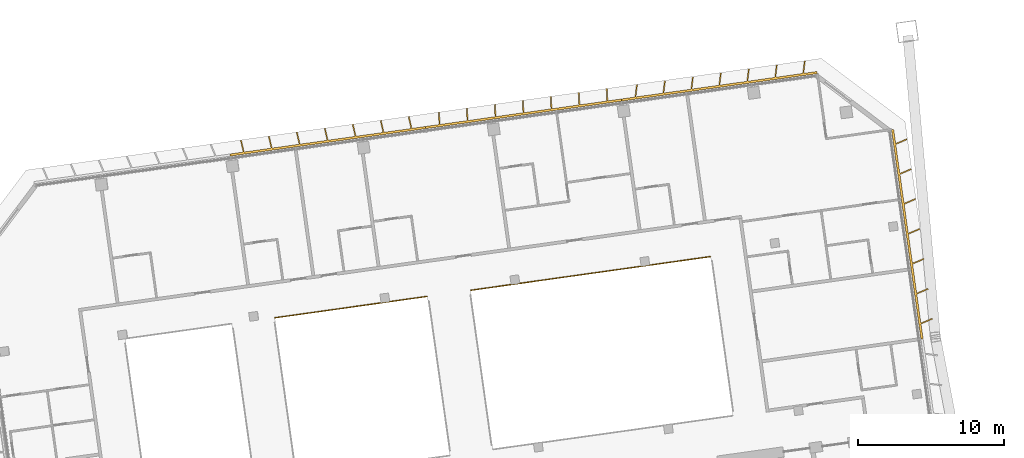
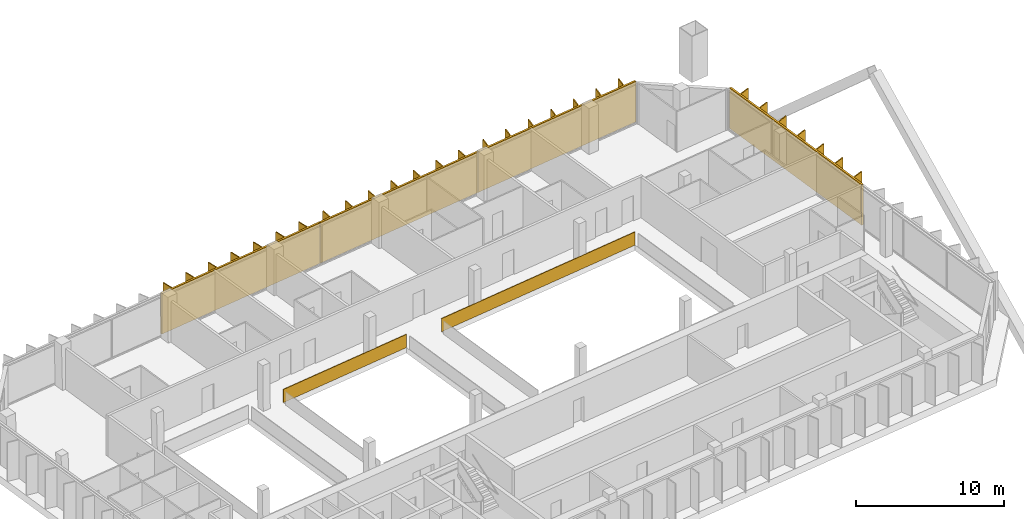
# One storey, part 28 of 28: 4 shading devices, 2 railings.
"""IFC4 building model written with IfcOpenShell, lengths in metres."""

from ifc_helpers import new_model, si_unit, direction, frame, origin, origin_2d, place, context, subcontext, project, spatial, polyline, rectangle, outline, extrude, material, type_object, element, save


model = new_model("IFC4")

# Units and contexts
model_context = context("Model", 3, precision=1e-05, world=origin(), true_north=direction((0.0, 1.0)))
body_context = subcontext(model_context, "Body", "Model", "MODEL_VIEW")
ifc_project = project(units=[si_unit("LENGTHUNIT", "METRE"), si_unit("AREAUNIT", "SQUARE_METRE"), si_unit("VOLUMEUNIT", "CUBIC_METRE"), si_unit("PLANEANGLEUNIT", "RADIAN"), si_unit("MASSUNIT", "GRAM", prefix="KILO")], contexts=[model_context])

# Site, building, storey
site_placement = place(None, origin())
site = spatial("IfcSite", under=ifc_project, at=site_placement, CompositionType="ELEMENT")
building_placement = place(site_placement, origin())
building = spatial("IfcBuilding", under=site, at=building_placement, Name="Mirante Cascada Hotel Towers", CompositionType="ELEMENT")
storey_placement = place(building_placement, frame((0.0, 0.0, 165.0)))
storey = spatial("IfcBuildingStorey", under=building, at=storey_placement, Name="L38", CompositionType="ELEMENT", Elevation=165.0)

# Railings
ifc_material_1 = material(Name="Toughened glass with stainless steel handrail", Category="steel")
railing_type = type_object("IfcRailingType", Name="Atrium guard 1100 glass balustrade", PredefinedType="GUARDRAIL", material=ifc_material_1)
railing_1_placement = place(storey_placement, frame((58.5499, 9.6871, 0.0)))
element("IfcRailing", 1, at=railing_1_placement, inside=storey, type_object=railing_type, Name="GUARD 2-L38-4", PredefinedType="GUARDRAIL", context=body_context, shape_type="SweptSolid", body=[
    extrude(rectangle(XDim=0.048, YDim=0.048, at=origin_2d()), frame((0.0, 0.0, 1.076), z_axis=(-0.9902677, -0.1391758, 0.0), x_axis=(0.1391758, -0.9902677, 0.0)), (0.0, 0.0, 1.0), 10.5507),
    extrude(rectangle(XDim=0.02, YDim=1.052, at=origin_2d()), frame((0.0, 0.0, 0.526), z_axis=(-0.9902677, -0.1391758, 0.0), x_axis=(0.1391758, -0.9902677, 0.0)), (0.0, 0.0, 1.0), 10.5507),
])
railing_2_placement = place(storey_placement, frame((77.9271, 12.4104, 0.0)))
element("IfcRailing", 2, at=railing_2_placement, inside=storey, type_object=railing_type, Name="GUARD 2-L38-6", PredefinedType="GUARDRAIL", context=body_context, shape_type="SweptSolid", body=[
    extrude(rectangle(XDim=0.048, YDim=0.048, at=origin_2d()), frame((0.0, 0.0, 1.076), z_axis=(0.9903011, 0.1389378, 0.0), x_axis=(-0.1389378, 0.9903011, 0.0)), (0.0, 0.0, 1.0), 0.0338),
    extrude(rectangle(XDim=0.02, YDim=1.052, at=origin_2d()), frame((0.0, 0.0, 0.526), z_axis=(0.9903011, 0.1389378, 0.0), x_axis=(-0.1389378, 0.9903011, 0.0)), (0.0, 0.0, 1.0), 0.0338),
    extrude(rectangle(XDim=0.048, YDim=0.048, at=origin_2d()), frame((0.0335, 0.0047, 1.076), z_axis=(-0.9902679, -0.1391744, 0.0), x_axis=(0.1391744, -0.9902679, 0.0)), (0.0, 0.0, 1.0), 16.6015),
    extrude(rectangle(XDim=0.02, YDim=1.052, at=origin_2d()), frame((0.0335, 0.0047, 0.526), z_axis=(-0.9902679, -0.1391744, 0.0), x_axis=(0.1391744, -0.9902679, 0.0)), (0.0, 0.0, 1.0), 16.6015),
])

# Shading devices
ifc_material_2 = material(Name="White precast concrete C50/60 fin", Category="concrete")
shading_device_type = type_object("IfcShadingDeviceType", Name="Vertical fin set 4500x900", PredefinedType="USERDEFINED", material=ifc_material_2)
shading_device_1_placement = place(storey_placement, origin())
element("IfcShadingDevice", 3, at=shading_device_1_placement, inside=storey, type_object=shading_device_type, Name="FIN T2 L38 front 1", ObjectType="FIN", PredefinedType="USERDEFINED", context=body_context, shape_type="SweptSolid", body=[
    extrude(outline(polyline([(72.9615, 24.193), (72.8594, 23.3617), (74.6944, 23.6196), (74.7991, 24.4721), (74.8785, 24.4624), (74.7764, 23.6311), (76.6114, 23.889), (76.7161, 24.7416), (76.7955, 24.7318), (76.6934, 23.9005), (78.5284, 24.1584), (78.633, 25.011), (78.7124, 25.0012), (78.6104, 24.1699), (80.4453, 24.4278), (80.55, 25.2804), (80.6294, 25.2706), (80.5274, 24.4394), (82.3623, 24.6972), (82.467, 25.5498), (82.5464, 25.54), (82.4443, 24.7088), (84.2793, 24.9667), (84.384, 25.8192), (84.4634, 25.8095), (84.3613, 24.9782), (85.2655, 25.1053), (85.2864, 24.9567), (71.8676, 23.0708), (71.8467, 23.2194), (72.7774, 23.3502), (72.8821, 24.2027), (72.9615, 24.193)])), origin(), (0.0, 0.0, 1.0), 3.35),
])
shading_device_2_placement = place(storey_placement, origin())
element("IfcShadingDevice", 4, at=shading_device_2_placement, inside=storey, type_object=shading_device_type, Name="FIN T2 L38 front 2", ObjectType="FIN", PredefinedType="USERDEFINED", context=body_context, shape_type="SweptSolid", body=[
    extrude(outline(polyline([(59.3861, 22.3195), (59.4304, 21.4744), (61.2679, 21.7326), (61.2232, 22.5848), (61.3031, 22.5889), (61.3474, 21.7438), (63.1849, 22.002), (63.1402, 22.8542), (63.2201, 22.8584), (63.2644, 22.0132), (65.1018, 22.2714), (65.0572, 23.1236), (65.1371, 23.1278), (65.1814, 22.2826), (67.0188, 22.5409), (66.9742, 23.393), (67.054, 23.3972), (67.0983, 22.552), (68.9358, 22.8103), (68.8911, 23.6624), (68.971, 23.6666), (69.0153, 22.8214), (70.8528, 23.0797), (70.8081, 23.9318), (70.888, 23.936), (70.9323, 23.0909), (71.8467, 23.2194), (71.8676, 23.0708), (58.4487, 21.1849), (58.4278, 21.3335), (59.3509, 21.4632), (59.3062, 22.3153), (59.3861, 22.3195)])), origin(), (0.0, 0.0, 1.0), 3.35),
])
shading_device_3_placement = place(storey_placement, origin())
element("IfcShadingDevice", 5, at=shading_device_3_placement, inside=storey, type_object=shading_device_type, Name="FIN T2 L38 front 3", ObjectType="FIN", PredefinedType="USERDEFINED", context=body_context, shape_type="SweptSolid", body=[
    extrude(outline(polyline([(45.811, 20.4187), (46.0029, 19.5873), (47.8404, 19.8455), (47.65, 20.6701), (47.728, 20.6881), (47.9199, 19.8567), (49.7574, 20.1149), (49.567, 20.9395), (49.6449, 20.9575), (49.8369, 20.1261), (51.6743, 20.3843), (51.484, 21.2089), (51.5619, 21.2269), (51.7539, 20.3955), (53.5913, 20.6537), (53.4009, 21.4784), (53.4789, 21.4964), (53.6708, 20.6649), (55.5083, 20.9232), (55.3179, 21.7478), (55.3959, 21.7658), (55.5878, 20.9343), (57.4253, 21.1926), (57.2349, 22.0172), (57.3128, 22.0352), (57.5048, 21.2037), (58.4278, 21.3335), (58.4487, 21.1849), (45.0299, 19.299), (45.009, 19.4476), (45.9234, 19.5761), (45.733, 20.4007), (45.811, 20.4187)])), origin(), (0.0, 0.0, 1.0), 3.35),
])
shading_device_4_placement = place(storey_placement, origin())
element("IfcShadingDevice", 6, at=shading_device_4_placement, inside=storey, type_object=shading_device_type, Name="FIN T2 L38 outer 2", ObjectType="FIN", PredefinedType="USERDEFINED", context=body_context, shape_type="SweptSolid", body=[
    extrude(outline(polyline([(93.1859, 8.1223), (92.3952, 7.7867), (92.5354, 6.7888), (92.3869, 6.7679), (90.3689, 21.1268), (90.5174, 21.1477), (90.6539, 20.1763), (91.4249, 20.5036), (91.4561, 20.4299), (90.6655, 20.0943), (90.9422, 18.125), (91.7132, 18.4523), (91.7444, 18.3786), (90.9537, 18.043), (91.2305, 16.0738), (92.0014, 16.401), (92.0327, 16.3274), (91.242, 15.9918), (91.5188, 14.0225), (92.2897, 14.3497), (92.321, 14.2761), (91.5303, 13.9405), (91.8071, 11.9712), (92.578, 12.2985), (92.6093, 12.2248), (91.8186, 11.8892), (92.0954, 9.92), (92.8663, 10.2472), (92.8976, 10.1736), (92.1069, 9.8379), (92.3837, 7.8687), (93.1546, 8.1959), (93.1859, 8.1223)])), origin(), (0.0, 0.0, 1.0), 3.35),
])

save(model, "model.ifc")
